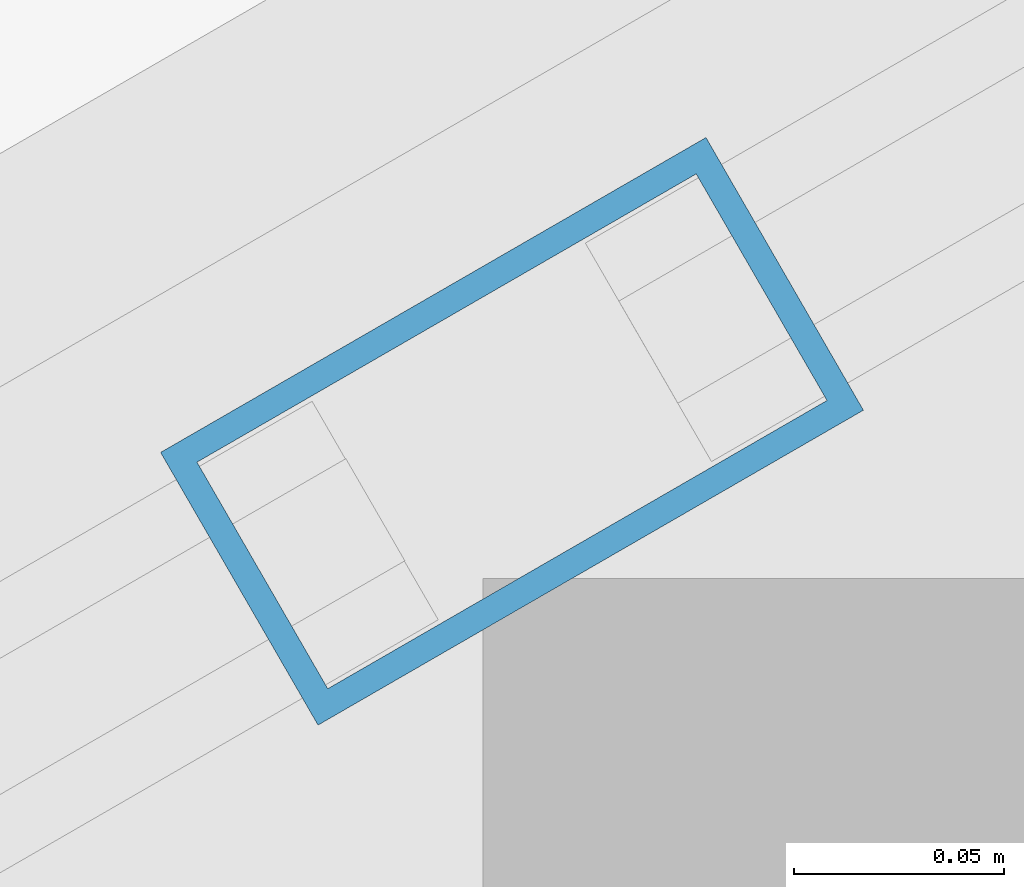
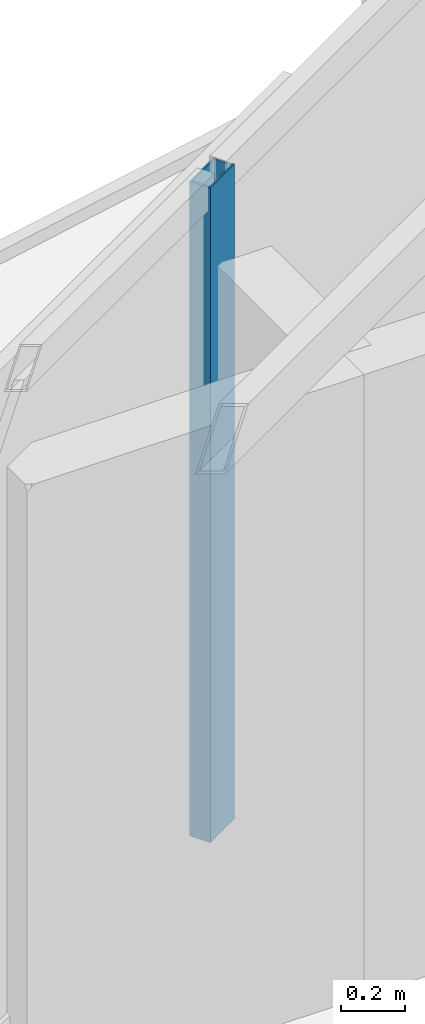
# One storey, part 8 of 22: 1 member, 1 element without a shape of its own.
"""IFC4 building model written with IfcOpenShell, lengths in metres."""

from ifc_helpers import new_model, si_unit, direction, frame, origin, origin_2d, place, context, subcontext, project, spatial, hollow_rectangle, extrude, material, layer, layer_set, material_profile, profile_set, type_object, element, aggregate, save


model = new_model("IFC4")

# Units and contexts
model_context = context("Model", 3, precision=1e-05, world=origin(), true_north=direction((0.0, 1.0)))
body_context = subcontext(model_context, "Body", "Model", "MODEL_VIEW")
ifc_project = project(units=[si_unit("LENGTHUNIT", "METRE"), si_unit("AREAUNIT", "SQUARE_METRE"), si_unit("VOLUMEUNIT", "CUBIC_METRE"), si_unit("PLANEANGLEUNIT", "RADIAN"), si_unit("MASSUNIT", "GRAM", prefix="KILO")], contexts=[model_context])

# Site, building, storey
site_placement = place(None, origin())
site = spatial("IfcSite", under=ifc_project, at=site_placement, CompositionType="ELEMENT")
building_placement = place(site_placement, origin())
building = spatial("IfcBuilding", under=site, at=building_placement, Name="Mersakhor Tower and Convention Hall", CompositionType="ELEMENT")
storey_placement = place(building_placement, frame((0.0, 0.0, 188.699951171875)))
storey = spatial("IfcBuildingStorey", under=building, at=storey_placement, Name="L52", CompositionType="ELEMENT", Elevation=188.699951171875)

# Curtain wall, member
ifc_material_1 = material(Name="Dark solar low-E aluminium curtain wall", Category="aluminium")
ifc_layer = layer(ifc_material_1, 0.169921875)
ifc_layer_set = layer_set([ifc_layer], Name="Dark solar low-E aluminium curtain wall")
curtain_wall_type = type_object("IfcCurtainWallType", Name="CW-SYS-02", PredefinedType="USERDEFINED", material=ifc_layer_set)
curtain_wall_placement = place(storey_placement, origin())
curtain_wall = element("IfcCurtainWall", 1, at=curtain_wall_placement, inside=storey, type_object=curtain_wall_type, Name="L52 Dark-Glass Curtain Wall F1-B2", ObjectType="CURTAIN WALL", PredefinedType="USERDEFINED")
ifc_material_2 = material(Name="Anodised aluminium EN AW-6063 T6", Category="aluminium")
ifc_material_profile = material_profile(ifc_material_2, hollow_rectangle(XDim=0.074951171875, YDim=0.14990234375, WallThickness=0.00634765625, at=origin_2d()), Name="RHS 150x75x6.3")
ifc_profile_set = profile_set([ifc_material_profile], Name="Anodised aluminium EN AW-6063 T6")
member_type = type_object("IfcMemberType", Name="CWM-150x75", PredefinedType="MULLION", material=ifc_profile_set)
member_placement = place(storey_placement, frame((21.906982421875, 36.035888671875, 0.199951171875), z_axis=(0.0, 0.0, 1.0), x_axis=(-0.500007824483, 0.86602088627, 0.0)))
member = element("IfcMember", 2, at=member_placement, type_object=member_type, Name="CW-02 mullion 2", PredefinedType="MULLION", context=body_context, shape_type="SweptSolid", body=[
    extrude(hollow_rectangle(XDim=0.074951171875, YDim=0.14990234375, WallThickness=0.00634765625, at=origin_2d()), origin(), (0.0, 0.0, 1.0), 2.489990234375),
])
aggregate(curtain_wall, [member])

save(model, "model.ifc")
